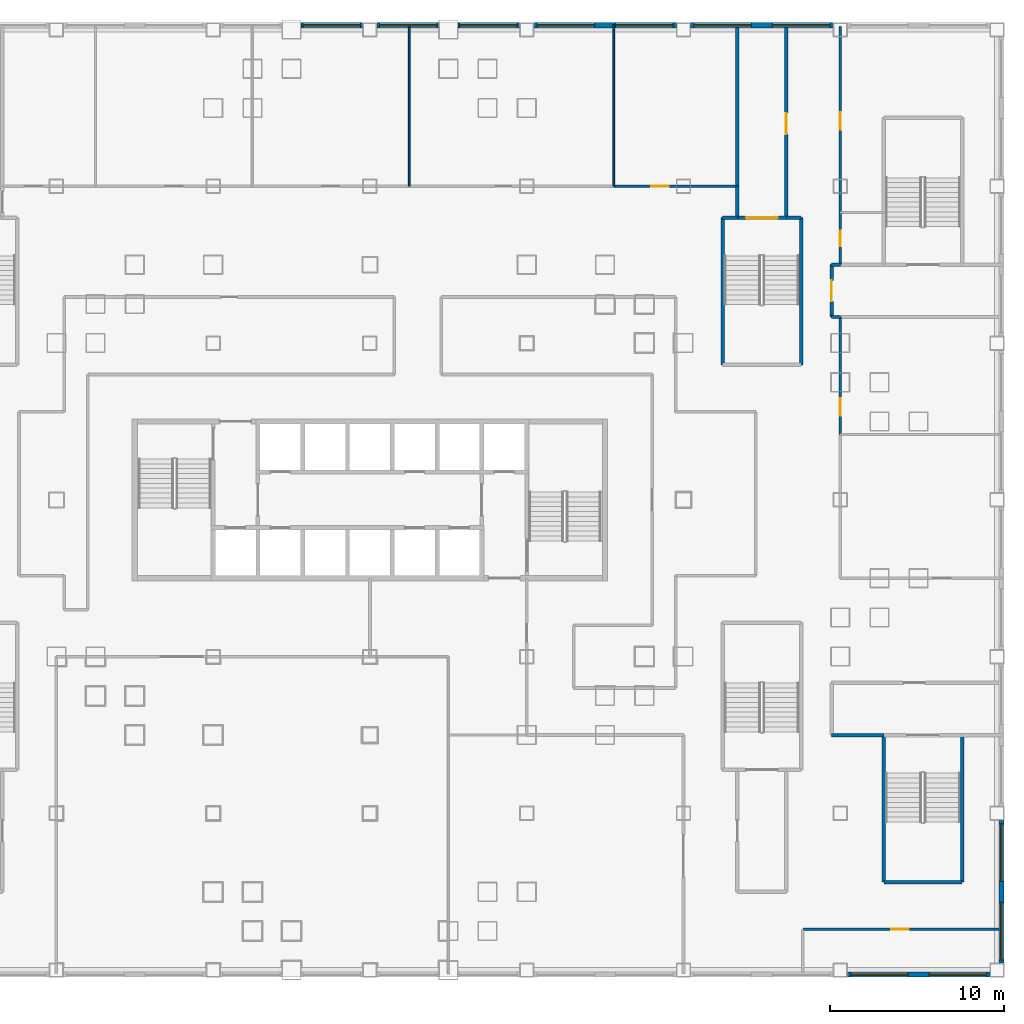
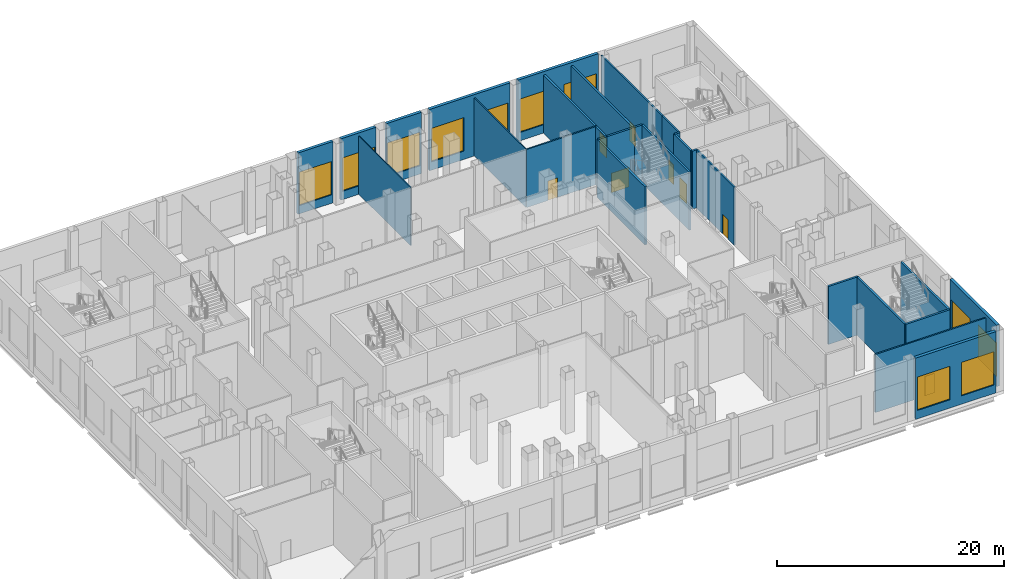
# One storey, part 7 of 26: 29 walls, 11 windows, 8 doors, 19 openings.
"""IFC4 building model written with IfcOpenShell, lengths in metres."""

from ifc_helpers import new_model, si_unit, direction, frame, frame_2d, origin, place, context, subcontext, project, spatial, rectangle, extrude, material, layer, layer_set, type_object, element, fill, save


model = new_model("IFC4")

# Units and contexts
model_context = context("Model", 3, precision=1e-05, world=origin(), true_north=direction((0.0, 1.0)))
body_context = subcontext(model_context, "Body", "Model", "MODEL_VIEW")
ifc_project = project(units=[si_unit("LENGTHUNIT", "METRE"), si_unit("AREAUNIT", "SQUARE_METRE"), si_unit("VOLUMEUNIT", "CUBIC_METRE"), si_unit("PLANEANGLEUNIT", "RADIAN"), si_unit("MASSUNIT", "GRAM", prefix="KILO")], contexts=[model_context])

# Site, building, storey
site_placement = place(None, origin())
site = spatial("IfcSite", under=ifc_project, at=site_placement, CompositionType="ELEMENT")
building_placement = place(site_placement, origin())
building = spatial("IfcBuilding", under=site, at=building_placement, Name="Caravel Reach Hotel and Residences", CompositionType="ELEMENT")
storey_placement = place(building_placement, frame((0.0, 0.0, 17.39990234375)))
storey = spatial("IfcBuildingStorey", under=building, at=storey_placement, Name="L03", CompositionType="ELEMENT", Elevation=17.39990234375)

# Walls
ifc_material_1 = material(Name="Autoclaved aerated block wall")
ifc_layer_1 = layer(ifc_material_1, 0.199951171875)
ifc_layer_set_1 = layer_set([ifc_layer_1], Name="Compartment wall 200 mm EI 120")
wall_type_1 = type_object("IfcWallType", Name="Compartment wall 200 mm EI 120", PredefinedType="PARTITIONING", material=ifc_layer_set_1)
wall_1_placement = place(storey_placement, frame((58.0, 13.5, 0.0), z_axis=(0.0, 0.0, 1.0), x_axis=(1.0, 0.0, 0.0)))
element("IfcWall", 1, at=wall_1_placement, inside=storey, type_object=wall_type_1, Name="L03 wall w070", PredefinedType="PARTITIONING", context=body_context, shape_type="SweptSolid", body=[
    extrude(rectangle(XDim=3.0, YDim=0.199951171875, at=frame_2d((1.5, 0.0))), origin(), (0.0, 0.0, 1.0), 6.25),
])
for number, where, z_axis, x_axis, name in (
    (2, (58.0, 37.5, 0.0), (0.0, 0.0, 1.0), (1.0, 0.0, 0.0), "L03 wall w075"),
    (3, (58.0, 40.5, 0.0), (0.0, 0.0, 1.0), (1.0, 0.0, 0.0), "L03 wall w081"),
):
    element("IfcWall", number, at=place(storey_placement, frame(where, z_axis=z_axis, x_axis=x_axis)), inside=storey, type_object=wall_type_1, Name=name, PredefinedType="PARTITIONING", context=body_context, shape_type="SweptSolid", body=[
        extrude(rectangle(XDim=0.5, YDim=0.199951171875, at=frame_2d((0.25, 0.0))), origin(), (0.0, 0.0, 1.0), 6.25),
    ])
wall_2_placement = place(storey_placement, frame((52.60009765625, 43.199951171875, 0.0), z_axis=(0.0, 0.0, 1.0), x_axis=(0.0, 1.0, 0.0)))
element("IfcWall", 4, at=wall_2_placement, inside=storey, type_object=wall_type_1, Name="L03 wall w089", PredefinedType="PARTITIONING", context=body_context, shape_type="SweptSolid", body=[
    extrude(rectangle(XDim=1.800048828125, YDim=0.199951171875, at=frame_2d((0.89990234375, 0.0))), origin(), (0.0, 0.0, 1.0), 6.25),
])
wall_3_placement = place(storey_placement, frame((52.60009765625, 45.0, 0.0), z_axis=(0.0, 0.0, 1.0), x_axis=(0.0, 1.0, 0.0)))
element("IfcWall", 5, at=wall_3_placement, inside=storey, type_object=wall_type_1, Name="L03 wall w090", PredefinedType="PARTITIONING", context=body_context, shape_type="SweptSolid", body=[
    extrude(rectangle(XDim=9.1201171875, YDim=0.199951171875, at=frame_2d((4.56005859375, 0.0))), origin(), (0.0, 0.0, 1.0), 6.25),
])

# Wall, opening, door
wall_4_placement = place(storey_placement, frame((55.39990234375, 43.199951171875, 0.0), z_axis=(0.0, 0.0, 1.0), x_axis=(0.0, 1.0, 0.0)))
wall_4 = element("IfcWall", 6, at=wall_4_placement, inside=storey, type_object=wall_type_1, Name="L03 wall w092", PredefinedType="PARTITIONING", context=body_context, shape_type="SweptSolid", body=[
    extrude(rectangle(XDim=10.920166015625, YDim=0.199951171875, at=frame_2d((5.4599609375, 0.0))), origin(), (0.0, 0.0, 1.0), 6.25),
])
opening_1_placement = place(wall_4_placement, frame((4.800048828125, 0.0, 0.0)))
opening_1 = element("IfcOpeningElement", 7, at=opening_1_placement, cuts=wall_4, Name="Opening D03-016", PredefinedType="OPENING", context=body_context, shape_type="SweptSolid", body=[
    extrude(rectangle(XDim=1.199951171875, YDim=2.10009765625, at=frame_2d((0.60009765625, 1.050048828125))), frame((0.0, 0.10986328125, 0.0), z_axis=(0.0, -1.0, 0.0), x_axis=(1.0, 0.0, 0.0)), (0.0, 0.0, 1.0), 0.219970703125),
])
ifc_material_2 = material(Name="Steel fire door leaf", Category="steel")
door_type_1 = type_object("IfcDoorType", Name="Fire lobby door 1200 x 2100 EI 90", OperationType="SINGLE_SWING_LEFT", PredefinedType="DOOR", material=ifc_material_2)
door_1_placement = place(opening_1_placement, origin())
door_1 = element("IfcDoor", 8, at=door_1_placement, inside=storey, type_object=door_type_1, Name="door D03-016", OperationType="SINGLE_SWING_RIGHT", OverallHeight=2.10009765625, OverallWidth=1.199951171875, PredefinedType="DOOR", context=body_context, shape_type="SweptSolid", body=[
    extrude(rectangle(XDim=1.199951171875, YDim=2.10009765625, at=frame_2d((0.60009765625, 1.050048828125))), frame((0.0, 0.02490234375, 0.0), z_axis=(0.0, -1.0, 0.0), x_axis=(1.0, 0.0, 0.0)), (0.0, 0.0, 1.0), 0.050048828125),
])
fill(opening_1, door_1)

wall_5_placement = place(storey_placement, frame((58.0, 37.5, 0.0), z_axis=(0.0, 0.0, 1.0), x_axis=(0.0, 1.0, 0.0)))
wall_5 = element("IfcWall", 9, at=wall_5_placement, inside=storey, type_object=wall_type_1, Name="L03 wall w094", PredefinedType="PARTITIONING", context=body_context, shape_type="SweptSolid", body=[
    extrude(rectangle(XDim=3.0, YDim=0.199951171875, at=frame_2d((1.5, 0.0))), origin(), (0.0, 0.0, 1.0), 6.25),
])
opening_2_placement = place(wall_5_placement, frame((0.89990234375, 0.0, 0.0)))
opening_2 = element("IfcOpeningElement", 10, at=opening_2_placement, cuts=wall_5, Name="Opening D03-024", PredefinedType="OPENING", context=body_context, shape_type="SweptSolid", body=[
    extrude(rectangle(XDim=1.199951171875, YDim=2.10009765625, at=frame_2d((0.60009765625, 1.050048828125))), frame((0.0, 0.10986328125, 0.0), z_axis=(0.0, -1.0, 0.0), x_axis=(1.0, 0.0, 0.0)), (0.0, 0.0, 1.0), 0.219970703125),
])
door_2_placement = place(opening_2_placement, origin())
door_2 = element("IfcDoor", 11, at=door_2_placement, inside=storey, type_object=door_type_1, Name="door D03-024", OperationType="SINGLE_SWING_LEFT", OverallHeight=2.10009765625, OverallWidth=1.199951171875, PredefinedType="DOOR", context=body_context, shape_type="SweptSolid", body=[
    extrude(rectangle(XDim=1.199951171875, YDim=2.10009765625, at=frame_2d((0.60009765625, 1.050048828125))), frame((0.0, 0.02490234375, 0.0), z_axis=(0.0, -1.0, 0.0), x_axis=(1.0, 0.0, 0.0)), (0.0, 0.0, 1.0), 0.050048828125),
])
fill(opening_2, door_2)

ifc_material_3 = material(Name="Gypsum board on steel stud, fire-rated", Category="steel")
ifc_layer_2 = layer(ifc_material_3, 0.14990234375)
ifc_layer_set_2 = layer_set([ifc_layer_2], Name="Corridor wall 150 mm EI 60")
wall_type_2 = type_object("IfcWallType", Name="Corridor wall 150 mm EI 60", PredefinedType="PARTITIONING", material=ifc_layer_set_2)
wall_6_placement = place(storey_placement, frame((56.35009765625, 2.35009765625, 0.0), z_axis=(0.0, 0.0, 1.0), x_axis=(1.0, 0.0, 0.0)))
wall_6 = element("IfcWall", 12, at=wall_6_placement, inside=storey, type_object=wall_type_2, Name="L03 wall w008", PredefinedType="PARTITIONING", context=body_context, shape_type="SweptSolid", body=[
    extrude(rectangle(XDim=11.27001953125, YDim=0.14990234375, at=frame_2d((5.635009765625, 0.0))), origin(), (0.0, 0.0, 1.0), 6.25),
])
opening_3_placement = place(wall_6_placement, frame((5.074951171875, 0.0, 0.0)))
opening_3 = element("IfcOpeningElement", 13, at=opening_3_placement, cuts=wall_6, Name="Opening D03-039", PredefinedType="OPENING", context=body_context, shape_type="SweptSolid", body=[
    extrude(rectangle(XDim=1.0, YDim=2.10009765625, at=frame_2d((0.5, 1.050048828125))), frame((0.0, 0.0849609375, 0.0), z_axis=(0.0, -1.0, 0.0), x_axis=(1.0, 0.0, 0.0)), (0.0, 0.0, 1.0), 0.169921875),
])
ifc_material_4 = material(Name="Steel fire door leaf", Category="steel")
door_type_2 = type_object("IfcDoorType", Name="Fire door 1000 x 2100 EI 60", OperationType="SINGLE_SWING_LEFT", PredefinedType="DOOR", material=ifc_material_4)
door_3_placement = place(opening_3_placement, origin())
door_3 = element("IfcDoor", 14, at=door_3_placement, inside=storey, type_object=door_type_2, Name="door D03-039", OperationType="SINGLE_SWING_LEFT", OverallHeight=2.10009765625, OverallWidth=1.0, PredefinedType="DOOR", context=body_context, shape_type="SweptSolid", body=[
    extrude(rectangle(XDim=1.0, YDim=2.10009765625, at=frame_2d((0.5, 1.050048828125))), frame((0.0, 0.02490234375, 0.0), z_axis=(0.0, -1.0, 0.0), x_axis=(1.0, 0.0, 0.0)), (0.0, 0.0, 1.0), 0.050048828125),
])
fill(opening_3, door_3)

wall_7_placement = place(storey_placement, frame((45.5, 45.0, 0.0), z_axis=(0.0, 0.0, 1.0), x_axis=(1.0, 0.0, 0.0)))
wall_7 = element("IfcWall", 15, at=wall_7_placement, inside=storey, type_object=wall_type_2, Name="L03 wall w029", PredefinedType="PARTITIONING", context=body_context, shape_type="SweptSolid", body=[
    extrude(rectangle(XDim=7.10009765625, YDim=0.14990234375, at=frame_2d((3.550048828125, 0.0))), origin(), (0.0, 0.0, 1.0), 6.25),
])
opening_4_placement = place(wall_7_placement, frame((2.14990234375, 0.0, 0.0)))
opening_4 = element("IfcOpeningElement", 16, at=opening_4_placement, cuts=wall_7, Name="Opening D03-038", PredefinedType="OPENING", context=body_context, shape_type="SweptSolid", body=[
    extrude(rectangle(XDim=1.0, YDim=2.10009765625, at=frame_2d((0.5, 1.050048828125))), frame((0.0, 0.0849609375, 0.0), z_axis=(0.0, -1.0, 0.0), x_axis=(1.0, 0.0, 0.0)), (0.0, 0.0, 1.0), 0.169921875),
])
door_4_placement = place(opening_4_placement, origin())
door_4 = element("IfcDoor", 17, at=door_4_placement, inside=storey, type_object=door_type_2, Name="door D03-038", OperationType="SINGLE_SWING_LEFT", OverallHeight=2.10009765625, OverallWidth=1.0, PredefinedType="DOOR", context=body_context, shape_type="SweptSolid", body=[
    extrude(rectangle(XDim=1.0, YDim=2.10009765625, at=frame_2d((0.5, 1.050048828125))), frame((0.0, 0.02490234375, 0.0), z_axis=(0.0, -1.0, 0.0), x_axis=(1.0, 0.0, 0.0)), (0.0, 0.0, 1.0), 0.050048828125),
])
fill(opening_4, door_4)

wall_8_placement = place(storey_placement, frame((58.5, 30.75, 0.0), z_axis=(0.0, 0.0, 1.0), x_axis=(0.0, 1.0, 0.0)))
wall_8 = element("IfcWall", 18, at=wall_8_placement, inside=storey, type_object=wall_type_2, Name="L03 wall w054", PredefinedType="PARTITIONING", context=body_context, shape_type="SweptSolid", body=[
    extrude(rectangle(XDim=6.75, YDim=0.14990234375, at=frame_2d((3.375, 0.0))), origin(), (0.0, 0.0, 1.0), 6.25),
])
opening_5_placement = place(wall_8_placement, frame((1.074951171875, 0.0, 0.0)))
opening_5 = element("IfcOpeningElement", 19, at=opening_5_placement, cuts=wall_8, Name="Opening D03-030", PredefinedType="OPENING", context=body_context, shape_type="SweptSolid", body=[
    extrude(rectangle(XDim=1.0, YDim=2.10009765625, at=frame_2d((0.5, 1.050048828125))), frame((0.0, 0.0849609375, 0.0), z_axis=(0.0, -1.0, 0.0), x_axis=(1.0, 0.0, 0.0)), (0.0, 0.0, 1.0), 0.169921875),
])
door_5_placement = place(opening_5_placement, origin())
door_5 = element("IfcDoor", 20, at=door_5_placement, inside=storey, type_object=door_type_2, Name="door D03-030", OperationType="SINGLE_SWING_LEFT", OverallHeight=2.10009765625, OverallWidth=1.0, PredefinedType="DOOR", context=body_context, shape_type="SweptSolid", body=[
    extrude(rectangle(XDim=1.0, YDim=2.10009765625, at=frame_2d((0.5, 1.050048828125))), frame((0.0, 0.02490234375, 0.0), z_axis=(0.0, -1.0, 0.0), x_axis=(1.0, 0.0, 0.0)), (0.0, 0.0, 1.0), 0.050048828125),
])
fill(opening_5, door_5)

wall_9_placement = place(storey_placement, frame((58.5, 40.5, 0.0), z_axis=(0.0, 0.0, 1.0), x_axis=(0.0, 1.0, 0.0)))
wall_9 = element("IfcWall", 21, at=wall_9_placement, inside=storey, type_object=wall_type_2, Name="L03 wall w055", PredefinedType="PARTITIONING", context=body_context, shape_type="SweptSolid", body=[
    extrude(rectangle(XDim=3.0, YDim=0.14990234375, at=frame_2d((1.5, 0.0))), origin(), (0.0, 0.0, 1.0), 6.25),
])
opening_6_placement = place(wall_9_placement, frame((1.050048828125, 0.0, 0.0)))
opening_6 = element("IfcOpeningElement", 22, at=opening_6_placement, cuts=wall_9, Name="Opening D03-031", PredefinedType="OPENING", context=body_context, shape_type="SweptSolid", body=[
    extrude(rectangle(XDim=0.89990234375, YDim=2.10009765625, at=frame_2d((0.449951171875, 1.050048828125))), frame((0.0, 0.0849609375, 0.0), z_axis=(0.0, -1.0, 0.0), x_axis=(1.0, 0.0, 0.0)), (0.0, 0.0, 1.0), 0.169921875),
])
ifc_material_5 = material(Name="Timber and steel door leaf", Category="steel")
door_type_3 = type_object("IfcDoorType", Name="Door 900 x 2100 timber", OperationType="SINGLE_SWING_LEFT", PredefinedType="DOOR", material=ifc_material_5)
door_6_placement = place(opening_6_placement, origin())
door_6 = element("IfcDoor", 23, at=door_6_placement, inside=storey, type_object=door_type_3, Name="door D03-031", OperationType="SINGLE_SWING_LEFT", OverallHeight=2.10009765625, OverallWidth=0.89990234375, PredefinedType="DOOR", context=body_context, shape_type="SweptSolid", body=[
    extrude(rectangle(XDim=0.89990234375, YDim=2.10009765625, at=frame_2d((0.449951171875, 1.050048828125))), frame((0.0, 0.02490234375, 0.0), z_axis=(0.0, -1.0, 0.0), x_axis=(1.0, 0.0, 0.0)), (0.0, 0.0, 1.0), 0.050048828125),
])
fill(opening_6, door_6)

wall_10_placement = place(storey_placement, frame((58.5, 43.5, 0.0), z_axis=(0.0, 0.0, 1.0), x_axis=(0.0, 1.0, 0.0)))
wall_10 = element("IfcWall", 24, at=wall_10_placement, inside=storey, type_object=wall_type_2, Name="L03 wall w056", PredefinedType="PARTITIONING", context=body_context, shape_type="SweptSolid", body=[
    extrude(rectangle(XDim=10.68994140625, YDim=0.14990234375, at=frame_2d((5.344970703125, 0.0))), origin(), (0.0, 0.0, 1.0), 6.25),
])
opening_7_placement = place(wall_10_placement, frame((4.75, 0.0, 0.0)))
opening_7 = element("IfcOpeningElement", 25, at=opening_7_placement, cuts=wall_10, Name="Opening D03-032", PredefinedType="OPENING", context=body_context, shape_type="SweptSolid", body=[
    extrude(rectangle(XDim=1.0, YDim=2.10009765625, at=frame_2d((0.5, 1.050048828125))), frame((0.0, 0.0849609375, 0.0), z_axis=(0.0, -1.0, 0.0), x_axis=(1.0, 0.0, 0.0)), (0.0, 0.0, 1.0), 0.169921875),
])
door_7_placement = place(opening_7_placement, origin())
door_7 = element("IfcDoor", 26, at=door_7_placement, inside=storey, type_object=door_type_2, Name="door D03-032", OperationType="SINGLE_SWING_RIGHT", OverallHeight=2.10009765625, OverallWidth=1.0, PredefinedType="DOOR", context=body_context, shape_type="SweptSolid", body=[
    extrude(rectangle(XDim=1.0, YDim=2.10009765625, at=frame_2d((0.5, 1.050048828125))), frame((0.0, 0.02490234375, 0.0), z_axis=(0.0, -1.0, 0.0), x_axis=(1.0, 0.0, 0.0)), (0.0, 0.0, 1.0), 0.050048828125),
])
fill(opening_7, door_7)

# Wall, openings, windows
ifc_material_6 = material(Name="Insulated wall, stone cladding", Category="masonry")
ifc_layer_3 = layer(ifc_material_6, 0.300048828125)
ifc_layer_set_3 = layer_set([ifc_layer_3], Name="EW2 Podium stone-clad wall")
wall_type_3 = type_object("IfcWallType", Name="EW2 Podium stone-clad wall", PredefinedType="SOLIDWALL", material=ifc_layer_set_3)
wall_11_placement = place(storey_placement, frame((67.75, 0.39990234375, 0.0), z_axis=(0.0, 0.0, 1.0), x_axis=(0.0, 1.0, 0.0)))
wall_11 = element("IfcWall", 27, at=wall_11_placement, inside=storey, type_object=wall_type_3, Name="External wall L03 E1.1", PredefinedType="SOLIDWALL", context=body_context, shape_type="SweptSolid", body=[
    extrude(rectangle(XDim=8.2001953125, YDim=0.300048828125, at=frame_2d((4.10009765625, 0.0))), origin(), (0.0, 0.0, 1.0), 6.60009765625),
])
opening_8_placement = place(wall_11_placement, frame((0.199951171875, 0.0, 0.89990234375)))
opening_8 = element("IfcOpeningElement", 28, at=opening_8_placement, cuts=wall_11, Name="Opening WN31", PredefinedType="OPENING", context=body_context, shape_type="SweptSolid", body=[
    extrude(rectangle(XDim=3.300048828125, YDim=3.60009765625, at=frame_2d((1.64990234375, 1.800048828125))), frame((0.0, 0.159912109375, 0.0), z_axis=(0.0, -1.0, 0.0), x_axis=(1.0, 0.0, 0.0)), (0.0, 0.0, 1.0), 0.320068359375),
])
opening_9_placement = place(wall_11_placement, frame((4.699951171875, 0.0, 0.89990234375)))
opening_9 = element("IfcOpeningElement", 29, at=opening_9_placement, cuts=wall_11, Name="Opening WN31", PredefinedType="OPENING", context=body_context, shape_type="SweptSolid", body=[
    extrude(rectangle(XDim=3.300048828125, YDim=3.60009765625, at=frame_2d((1.64990234375, 1.800048828125))), frame((0.0, 0.159912109375, 0.0), z_axis=(0.0, -1.0, 0.0), x_axis=(1.0, 0.0, 0.0)), (0.0, 0.0, 1.0), 0.320068359375),
])
ifc_material_7 = material(Name="Dark low-e glazing in black aluminium frame", Category="aluminium")
window_type = type_object("IfcWindowType", Name="Podium window 3300 x 3600", PartitioningType="SINGLE_PANEL", PredefinedType="WINDOW", material=ifc_material_7)
window_1_placement = place(opening_8_placement, origin())
window_1 = element("IfcWindow", 30, at=window_1_placement, inside=storey, type_object=window_type, Name="Window L03 E1.1.1", OverallHeight=3.60009765625, OverallWidth=3.300048828125, PartitioningType="SINGLE_PANEL", PredefinedType="WINDOW", context=body_context, shape_type="SweptSolid", body=[
    extrude(rectangle(XDim=3.300048828125, YDim=3.60009765625, at=frame_2d((1.64990234375, 1.800048828125))), frame((0.0, 0.030029296875, 0.0), z_axis=(0.0, -1.0, 0.0), x_axis=(1.0, 0.0, 0.0)), (0.0, 0.0, 1.0), 0.06005859375),
])
fill(opening_8, window_1)
window_2_placement = place(opening_9_placement, origin())
window_2 = element("IfcWindow", 31, at=window_2_placement, inside=storey, type_object=window_type, Name="Window L03 E1.1.2", OverallHeight=3.60009765625, OverallWidth=3.300048828125, PartitioningType="SINGLE_PANEL", PredefinedType="WINDOW", context=body_context, shape_type="SweptSolid", body=[
    extrude(rectangle(XDim=3.300048828125, YDim=3.60009765625, at=frame_2d((1.64990234375, 1.800048828125))), frame((0.0, 0.030029296875, 0.0), z_axis=(0.0, -1.0, 0.0), x_axis=(1.0, 0.0, 0.0)), (0.0, 0.0, 1.0), 0.06005859375),
])
fill(opening_9, window_2)

wall_12_placement = place(storey_placement, frame((58.10009765625, 54.25, 0.0), z_axis=(0.0, 0.0, 1.0), x_axis=(-1.0, 0.0, 0.0)))
wall_12 = element("IfcWall", 32, at=wall_12_placement, inside=storey, type_object=wall_type_3, Name="External wall L03 N2.2", PredefinedType="SOLIDWALL", context=body_context, shape_type="SweptSolid", body=[
    extrude(rectangle(XDim=8.2001953125, YDim=0.300048828125, at=frame_2d((4.10009765625, 0.0))), origin(), (0.0, 0.0, 1.0), 6.60009765625),
])
opening_10_placement = place(wall_12_placement, frame((0.199951171875, 0.0, 0.89990234375)))
opening_10 = element("IfcOpeningElement", 33, at=opening_10_placement, cuts=wall_12, Name="Opening WN31", PredefinedType="OPENING", context=body_context, shape_type="SweptSolid", body=[
    extrude(rectangle(XDim=3.300048828125, YDim=3.60009765625, at=frame_2d((1.64990234375, 1.800048828125))), frame((0.0, 0.159912109375, 0.0), z_axis=(0.0, -1.0, 0.0), x_axis=(1.0, 0.0, 0.0)), (0.0, 0.0, 1.0), 0.320068359375),
])
opening_11_placement = place(wall_12_placement, frame((4.699951171875, 0.0, 0.89990234375)))
opening_11 = element("IfcOpeningElement", 34, at=opening_11_placement, cuts=wall_12, Name="Opening WN31", PredefinedType="OPENING", context=body_context, shape_type="SweptSolid", body=[
    extrude(rectangle(XDim=3.300048828125, YDim=3.60009765625, at=frame_2d((1.64990234375, 1.800048828125))), frame((0.0, 0.159912109375, 0.0), z_axis=(0.0, -1.0, 0.0), x_axis=(1.0, 0.0, 0.0)), (0.0, 0.0, 1.0), 0.320068359375),
])
window_3_placement = place(opening_10_placement, origin())
window_3 = element("IfcWindow", 35, at=window_3_placement, inside=storey, type_object=window_type, Name="Window L03 N2.2.1", OverallHeight=3.60009765625, OverallWidth=3.300048828125, PartitioningType="SINGLE_PANEL", PredefinedType="WINDOW", context=body_context, shape_type="SweptSolid", body=[
    extrude(rectangle(XDim=3.300048828125, YDim=3.60009765625, at=frame_2d((1.64990234375, 1.800048828125))), frame((0.0, 0.030029296875, 0.0), z_axis=(0.0, -1.0, 0.0), x_axis=(1.0, 0.0, 0.0)), (0.0, 0.0, 1.0), 0.06005859375),
])
fill(opening_10, window_3)
window_4_placement = place(opening_11_placement, origin())
window_4 = element("IfcWindow", 36, at=window_4_placement, inside=storey, type_object=window_type, Name="Window L03 N2.2.2", OverallHeight=3.60009765625, OverallWidth=3.300048828125, PartitioningType="SINGLE_PANEL", PredefinedType="WINDOW", context=body_context, shape_type="SweptSolid", body=[
    extrude(rectangle(XDim=3.300048828125, YDim=3.60009765625, at=frame_2d((1.64990234375, 1.800048828125))), frame((0.0, 0.030029296875, 0.0), z_axis=(0.0, -1.0, 0.0), x_axis=(1.0, 0.0, 0.0)), (0.0, 0.0, 1.0), 0.06005859375),
])
fill(opening_11, window_4)

wall_13_placement = place(storey_placement, frame((49.10009765625, 54.25, 0.0), z_axis=(0.0, 0.0, 1.0), x_axis=(-1.0, 0.0, 0.0)))
wall_13 = element("IfcWall", 37, at=wall_13_placement, inside=storey, type_object=wall_type_3, Name="External wall L03 N2.3", PredefinedType="SOLIDWALL", context=body_context, shape_type="SweptSolid", body=[
    extrude(rectangle(XDim=8.2001953125, YDim=0.300048828125, at=frame_2d((4.10009765625, 0.0))), origin(), (0.0, 0.0, 1.0), 6.60009765625),
])
opening_12_placement = place(wall_13_placement, frame((0.199951171875, 0.0, 0.89990234375)))
opening_12 = element("IfcOpeningElement", 38, at=opening_12_placement, cuts=wall_13, Name="Opening WN31", PredefinedType="OPENING", context=body_context, shape_type="SweptSolid", body=[
    extrude(rectangle(XDim=3.300048828125, YDim=3.60009765625, at=frame_2d((1.64990234375, 1.800048828125))), frame((0.0, 0.159912109375, 0.0), z_axis=(0.0, -1.0, 0.0), x_axis=(1.0, 0.0, 0.0)), (0.0, 0.0, 1.0), 0.320068359375),
])
opening_13_placement = place(wall_13_placement, frame((4.699951171875, 0.0, 0.89990234375)))
opening_13 = element("IfcOpeningElement", 39, at=opening_13_placement, cuts=wall_13, Name="Opening WN31", PredefinedType="OPENING", context=body_context, shape_type="SweptSolid", body=[
    extrude(rectangle(XDim=3.300048828125, YDim=3.60009765625, at=frame_2d((1.64990234375, 1.800048828125))), frame((0.0, 0.159912109375, 0.0), z_axis=(0.0, -1.0, 0.0), x_axis=(1.0, 0.0, 0.0)), (0.0, 0.0, 1.0), 0.320068359375),
])
window_5_placement = place(opening_12_placement, origin())
window_5 = element("IfcWindow", 40, at=window_5_placement, inside=storey, type_object=window_type, Name="Window L03 N2.3.1", OverallHeight=3.60009765625, OverallWidth=3.300048828125, PartitioningType="SINGLE_PANEL", PredefinedType="WINDOW", context=body_context, shape_type="SweptSolid", body=[
    extrude(rectangle(XDim=3.300048828125, YDim=3.60009765625, at=frame_2d((1.64990234375, 1.800048828125))), frame((0.0, 0.030029296875, 0.0), z_axis=(0.0, -1.0, 0.0), x_axis=(1.0, 0.0, 0.0)), (0.0, 0.0, 1.0), 0.06005859375),
])
fill(opening_12, window_5)
window_6_placement = place(opening_13_placement, origin())
window_6 = element("IfcWindow", 41, at=window_6_placement, inside=storey, type_object=window_type, Name="Window L03 N2.3.2", OverallHeight=3.60009765625, OverallWidth=3.300048828125, PartitioningType="SINGLE_PANEL", PredefinedType="WINDOW", context=body_context, shape_type="SweptSolid", body=[
    extrude(rectangle(XDim=3.300048828125, YDim=3.60009765625, at=frame_2d((1.64990234375, 1.800048828125))), frame((0.0, 0.030029296875, 0.0), z_axis=(0.0, -1.0, 0.0), x_axis=(1.0, 0.0, 0.0)), (0.0, 0.0, 1.0), 0.06005859375),
])
fill(opening_13, window_6)

# Wall, opening, window
wall_14_placement = place(storey_placement, frame((40.10009765625, 54.25, 0.0), z_axis=(0.0, 0.0, 1.0), x_axis=(-1.0, 0.0, 0.0)))
wall_14 = element("IfcWall", 42, at=wall_14_placement, inside=storey, type_object=wall_type_3, Name="External wall L03 N2.4", PredefinedType="SOLIDWALL", context=body_context, shape_type="SweptSolid", body=[
    extrude(rectangle(XDim=3.550048828125, YDim=0.300048828125, at=frame_2d((1.77490234375, 0.0))), origin(), (0.0, 0.0, 1.0), 6.60009765625),
])
opening_14_placement = place(wall_14_placement, frame((0.14990234375, 0.0, 0.89990234375)))
opening_14 = element("IfcOpeningElement", 43, at=opening_14_placement, cuts=wall_14, Name="Opening WN31", PredefinedType="OPENING", context=body_context, shape_type="SweptSolid", body=[
    extrude(rectangle(XDim=3.300048828125, YDim=3.60009765625, at=frame_2d((1.64990234375, 1.800048828125))), frame((0.0, 0.159912109375, 0.0), z_axis=(0.0, -1.0, 0.0), x_axis=(1.0, 0.0, 0.0)), (0.0, 0.0, 1.0), 0.320068359375),
])
window_7_placement = place(opening_14_placement, origin())
window_7 = element("IfcWindow", 44, at=window_7_placement, inside=storey, type_object=window_type, Name="Window L03 N2.4.1", OverallHeight=3.60009765625, OverallWidth=3.300048828125, PartitioningType="SINGLE_PANEL", PredefinedType="WINDOW", context=body_context, shape_type="SweptSolid", body=[
    extrude(rectangle(XDim=3.300048828125, YDim=3.60009765625, at=frame_2d((1.64990234375, 1.800048828125))), frame((0.0, 0.030029296875, 0.0), z_axis=(0.0, -1.0, 0.0), x_axis=(1.0, 0.0, 0.0)), (0.0, 0.0, 1.0), 0.06005859375),
])
fill(opening_14, window_7)

wall_15_placement = place(storey_placement, frame((35.449951171875, 54.25, 0.0), z_axis=(0.0, 0.0, 1.0), x_axis=(-1.0, 0.0, 0.0)))
wall_15 = element("IfcWall", 45, at=wall_15_placement, inside=storey, type_object=wall_type_3, Name="External wall L03 N2.5", PredefinedType="SOLIDWALL", context=body_context, shape_type="SweptSolid", body=[
    extrude(rectangle(XDim=3.550048828125, YDim=0.300048828125, at=frame_2d((1.77490234375, 0.0))), origin(), (0.0, 0.0, 1.0), 6.60009765625),
])
opening_15_placement = place(wall_15_placement, frame((0.10009765625, 0.0, 0.89990234375)))
opening_15 = element("IfcOpeningElement", 46, at=opening_15_placement, cuts=wall_15, Name="Opening WN31", PredefinedType="OPENING", context=body_context, shape_type="SweptSolid", body=[
    extrude(rectangle(XDim=3.300048828125, YDim=3.60009765625, at=frame_2d((1.64990234375, 1.800048828125))), frame((0.0, 0.159912109375, 0.0), z_axis=(0.0, -1.0, 0.0), x_axis=(1.0, 0.0, 0.0)), (0.0, 0.0, 1.0), 0.320068359375),
])
window_8_placement = place(opening_15_placement, origin())
window_8 = element("IfcWindow", 47, at=window_8_placement, inside=storey, type_object=window_type, Name="Window L03 N2.5.1", OverallHeight=3.60009765625, OverallWidth=3.300048828125, PartitioningType="SINGLE_PANEL", PredefinedType="WINDOW", context=body_context, shape_type="SweptSolid", body=[
    extrude(rectangle(XDim=3.300048828125, YDim=3.60009765625, at=frame_2d((1.64990234375, 1.800048828125))), frame((0.0, 0.030029296875, 0.0), z_axis=(0.0, -1.0, 0.0), x_axis=(1.0, 0.0, 0.0)), (0.0, 0.0, 1.0), 0.06005859375),
])
fill(opening_15, window_8)

wall_16_placement = place(storey_placement, frame((31.10009765625, 54.25, 0.0), z_axis=(0.0, 0.0, 1.0), x_axis=(-1.0, 0.0, 0.0)))
wall_16 = element("IfcWall", 48, at=wall_16_placement, inside=storey, type_object=wall_type_3, Name="External wall L03 N2.6", PredefinedType="SOLIDWALL", context=body_context, shape_type="SweptSolid", body=[
    extrude(rectangle(XDim=3.550048828125, YDim=0.300048828125, at=frame_2d((1.77490234375, 0.0))), origin(), (0.0, 0.0, 1.0), 6.60009765625),
])
opening_16_placement = place(wall_16_placement, frame((0.14990234375, 0.0, 0.89990234375)))
opening_16 = element("IfcOpeningElement", 49, at=opening_16_placement, cuts=wall_16, Name="Opening WN31", PredefinedType="OPENING", context=body_context, shape_type="SweptSolid", body=[
    extrude(rectangle(XDim=3.300048828125, YDim=3.60009765625, at=frame_2d((1.64990234375, 1.800048828125))), frame((0.0, 0.159912109375, 0.0), z_axis=(0.0, -1.0, 0.0), x_axis=(1.0, 0.0, 0.0)), (0.0, 0.0, 1.0), 0.320068359375),
])
window_9_placement = place(opening_16_placement, origin())
window_9 = element("IfcWindow", 50, at=window_9_placement, inside=storey, type_object=window_type, Name="Window L03 N2.6.1", OverallHeight=3.60009765625, OverallWidth=3.300048828125, PartitioningType="SINGLE_PANEL", PredefinedType="WINDOW", context=body_context, shape_type="SweptSolid", body=[
    extrude(rectangle(XDim=3.300048828125, YDim=3.60009765625, at=frame_2d((1.64990234375, 1.800048828125))), frame((0.0, 0.030029296875, 0.0), z_axis=(0.0, -1.0, 0.0), x_axis=(1.0, 0.0, 0.0)), (0.0, 0.0, 1.0), 0.06005859375),
])
fill(opening_16, window_9)

# Wall, openings, windows
wall_17_placement = place(storey_placement, frame((58.89990234375, -0.25, 0.0), z_axis=(0.0, 0.0, 1.0), x_axis=(1.0, 0.0, 0.0)))
wall_17 = element("IfcWall", 51, at=wall_17_placement, inside=storey, type_object=wall_type_3, Name="External wall L03 S4.10", PredefinedType="SOLIDWALL", context=body_context, shape_type="SweptSolid", body=[
    extrude(rectangle(XDim=8.2001953125, YDim=0.300048828125, at=frame_2d((4.10009765625, 0.0))), origin(), (0.0, 0.0, 1.0), 6.60009765625),
])
opening_17_placement = place(wall_17_placement, frame((0.199951171875, 0.0, 0.89990234375)))
opening_17 = element("IfcOpeningElement", 52, at=opening_17_placement, cuts=wall_17, Name="Opening WN31", PredefinedType="OPENING", context=body_context, shape_type="SweptSolid", body=[
    extrude(rectangle(XDim=3.300048828125, YDim=3.60009765625, at=frame_2d((1.64990234375, 1.800048828125))), frame((0.0, 0.159912109375, 0.0), z_axis=(0.0, -1.0, 0.0), x_axis=(1.0, 0.0, 0.0)), (0.0, 0.0, 1.0), 0.320068359375),
])
opening_18_placement = place(wall_17_placement, frame((4.699951171875, 0.0, 0.89990234375)))
opening_18 = element("IfcOpeningElement", 53, at=opening_18_placement, cuts=wall_17, Name="Opening WN31", PredefinedType="OPENING", context=body_context, shape_type="SweptSolid", body=[
    extrude(rectangle(XDim=3.300048828125, YDim=3.60009765625, at=frame_2d((1.64990234375, 1.800048828125))), frame((0.0, 0.159912109375, 0.0), z_axis=(0.0, -1.0, 0.0), x_axis=(1.0, 0.0, 0.0)), (0.0, 0.0, 1.0), 0.320068359375),
])
window_10_placement = place(opening_17_placement, origin())
window_10 = element("IfcWindow", 54, at=window_10_placement, inside=storey, type_object=window_type, Name="Window L03 S4.10.1", OverallHeight=3.60009765625, OverallWidth=3.300048828125, PartitioningType="SINGLE_PANEL", PredefinedType="WINDOW", context=body_context, shape_type="SweptSolid", body=[
    extrude(rectangle(XDim=3.300048828125, YDim=3.60009765625, at=frame_2d((1.64990234375, 1.800048828125))), frame((0.0, 0.030029296875, 0.0), z_axis=(0.0, -1.0, 0.0), x_axis=(1.0, 0.0, 0.0)), (0.0, 0.0, 1.0), 0.06005859375),
])
fill(opening_17, window_10)
window_11_placement = place(opening_18_placement, origin())
window_11 = element("IfcWindow", 55, at=window_11_placement, inside=storey, type_object=window_type, Name="Window L03 S4.10.2", OverallHeight=3.60009765625, OverallWidth=3.300048828125, PartitioningType="SINGLE_PANEL", PredefinedType="WINDOW", context=body_context, shape_type="SweptSolid", body=[
    extrude(rectangle(XDim=3.300048828125, YDim=3.60009765625, at=frame_2d((1.64990234375, 1.800048828125))), frame((0.0, 0.030029296875, 0.0), z_axis=(0.0, -1.0, 0.0), x_axis=(1.0, 0.0, 0.0)), (0.0, 0.0, 1.0), 0.06005859375),
])
fill(opening_18, window_11)

# Walls
ifc_material_8 = material(Name="Gypsum board on steel stud", Category="steel")
ifc_layer_4 = layer(ifc_material_8, 0.10009765625)
ifc_layer_set_4 = layer_set([ifc_layer_4], Name="Partition 100 mm")
wall_type_4 = type_object("IfcWallType", Name="Partition 100 mm", PredefinedType="PARTITIONING", material=ifc_layer_set_4)
wall_18_placement = place(storey_placement, frame((33.75, 45.0, 0.0), z_axis=(0.0, 0.0, 1.0), x_axis=(0.0, 1.0, 0.0)))
element("IfcWall", 56, at=wall_18_placement, inside=storey, type_object=wall_type_4, Name="L03 wall w066", PredefinedType="PARTITIONING", context=body_context, shape_type="SweptSolid", body=[
    extrude(rectangle(XDim=9.1201171875, YDim=0.10009765625, at=frame_2d((4.56005859375, 0.0))), origin(), (0.0, 0.0, 1.0), 6.25),
])
wall_19_placement = place(storey_placement, frame((45.5, 45.0, 0.0), z_axis=(0.0, 0.0, 1.0), x_axis=(0.0, 1.0, 0.0)))
element("IfcWall", 57, at=wall_19_placement, inside=storey, type_object=wall_type_4, Name="L03 wall w069", PredefinedType="PARTITIONING", context=body_context, shape_type="SweptSolid", body=[
    extrude(rectangle(XDim=9.2900390625, YDim=0.10009765625, at=frame_2d((4.64501953125, 0.0))), origin(), (0.0, 0.0, 1.0), 6.25),
])
ifc_material_9 = material(Name="Concrete C60", Category="concrete")
ifc_layer_5 = layer(ifc_material_9, 0.199951171875)
ifc_layer_set_5 = layer_set([ifc_layer_5], Name="Stair enclosure wall 200 mm EI 120")
wall_type_5 = type_object("IfcWallType", Name="Stair enclosure wall 200 mm EI 120", PredefinedType="SHEAR", material=ifc_layer_set_5)
for number, where, z_axis, x_axis, name in (
    (58, (51.75, 43.199951171875, 0.0), (0.0, 0.0, 1.0), (1.0, 0.0, 0.0), "L03 wall w115"),
    (59, (55.39990234375, 43.199951171875, 0.0), (0.0, 0.0, 1.0), (1.0, 0.0, 0.0), "L03 wall w116"),
):
    element("IfcWall", number, at=place(storey_placement, frame(where, z_axis=z_axis, x_axis=x_axis)), inside=storey, type_object=wall_type_5, Name=name, PredefinedType="SHEAR", context=body_context, shape_type="SweptSolid", body=[
        extrude(rectangle(XDim=0.85009765625, YDim=0.199951171875, at=frame_2d((0.425048828125, 0.0))), origin(), (0.0, 0.0, 1.0), 6.25),
    ])

# Wall, opening, door
wall_20_placement = place(storey_placement, frame((52.60009765625, 43.199951171875, 0.0), z_axis=(0.0, 0.0, 1.0), x_axis=(1.0, 0.0, 0.0)))
wall_20 = element("IfcWall", 60, at=wall_20_placement, inside=storey, type_object=wall_type_5, Name="L03 wall w117", PredefinedType="SHEAR", context=body_context, shape_type="SweptSolid", body=[
    extrude(rectangle(XDim=2.7998046875, YDim=0.199951171875, at=frame_2d((1.39990234375, 0.0))), origin(), (0.0, 0.0, 1.0), 6.25),
])
opening_19_placement = place(wall_20_placement, frame((0.5, 0.0, 0.0)))
opening_19 = element("IfcOpeningElement", 61, at=opening_19_placement, cuts=wall_20, Name="Opening D03-017", PredefinedType="OPENING", context=body_context, shape_type="SweptSolid", body=[
    extrude(rectangle(XDim=1.800048828125, YDim=2.10009765625, at=frame_2d((0.89990234375, 1.050048828125))), frame((0.0, 0.10986328125, 0.0), z_axis=(0.0, -1.0, 0.0), x_axis=(1.0, 0.0, 0.0)), (0.0, 0.0, 1.0), 0.219970703125),
])
ifc_material_10 = material(Name="Steel fire door leaf", Category="steel")
door_type_4 = type_object("IfcDoorType", Name="Stair door pair 1800 x 2100 EI 90", OperationType="DOUBLE_DOOR_SINGLE_SWING", PredefinedType="DOOR", material=ifc_material_10)
door_8_placement = place(opening_19_placement, origin())
door_8 = element("IfcDoor", 62, at=door_8_placement, inside=storey, type_object=door_type_4, Name="door D03-017", OperationType="DOUBLE_DOOR_SINGLE_SWING", OverallHeight=2.10009765625, OverallWidth=1.800048828125, PredefinedType="DOOR", context=body_context, shape_type="SweptSolid", body=[
    extrude(rectangle(XDim=1.800048828125, YDim=2.10009765625, at=frame_2d((0.89990234375, 1.050048828125))), frame((0.0, 0.02490234375, 0.0), z_axis=(0.0, -1.0, 0.0), x_axis=(1.0, 0.0, 0.0)), (0.0, 0.0, 1.0), 0.050048828125),
])
fill(opening_19, door_8)

# Walls
wall_21_placement = place(storey_placement, frame((61.0, 5.050048828125, 0.0), z_axis=(0.0, 0.0, 1.0), x_axis=(1.0, 0.0, 0.0)))
element("IfcWall", 63, at=wall_21_placement, inside=storey, type_object=wall_type_5, Name="L03 wall w120", PredefinedType="SHEAR", context=body_context, shape_type="SweptSolid", body=[
    extrude(rectangle(XDim=4.5, YDim=0.199951171875, at=frame_2d((2.25, 0.0))), origin(), (0.0, 0.0, 1.0), 6.25),
])
for number, where, z_axis, x_axis, name in (
    (64, (51.75, 34.75, 0.0), (0.0, 0.0, 1.0), (0.0, 1.0, 0.0), "L03 wall w126"),
    (65, (56.25, 34.75, 0.0), (0.0, 0.0, 1.0), (0.0, 1.0, 0.0), "L03 wall w128"),
    (66, (61.0, 5.050048828125, 0.0), (0.0, 0.0, 1.0), (0.0, 1.0, 0.0), "L03 wall w134"),
    (67, (65.5, 5.050048828125, 0.0), (0.0, 0.0, 1.0), (0.0, 1.0, 0.0), "L03 wall w136"),
):
    element("IfcWall", number, at=place(storey_placement, frame(where, z_axis=z_axis, x_axis=x_axis)), inside=storey, type_object=wall_type_5, Name=name, PredefinedType="SHEAR", context=body_context, shape_type="SweptSolid", body=[
        extrude(rectangle(XDim=8.449951171875, YDim=0.199951171875, at=frame_2d((4.22509765625, 0.0))), origin(), (0.0, 0.0, 1.0), 6.25),
    ])

save(model, "model.ifc")
